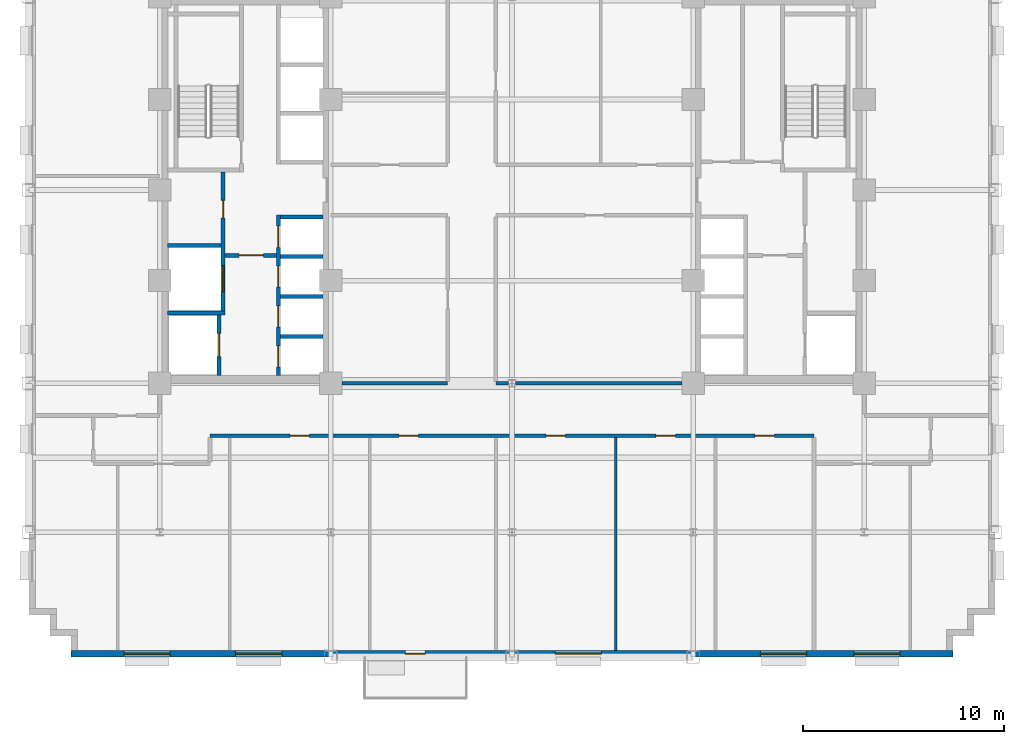
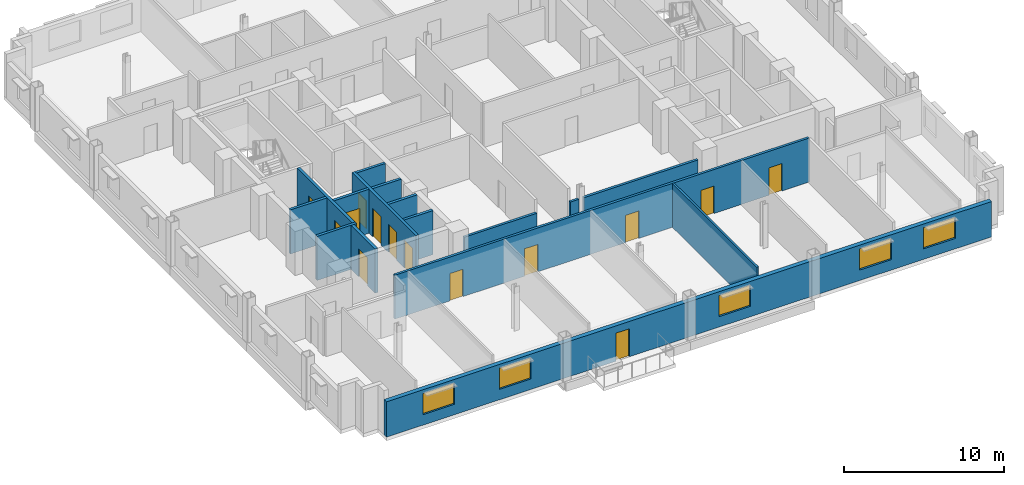
# One storey, part 6 of 14: 16 walls, 14 doors, 5 windows, 19 openings.
"""IFC4 building model written with IfcOpenShell, lengths in metres."""

import ifcopenshell
import ifcopenshell.guid

model = None  # the IFC model being written
_history = None  # IfcOwnerHistory: only IFC2X3 demands one
_inside = {}  # id of a spatial element -> (the spatial element, [elements in it])
_under = {}  # id of a project, library or spatial element -> (it, [spatial elements below it])
_declared = {}  # id of a project -> (the project, [libraries it declares])
_typed = {}  # id of a type object -> (the type object, [elements of that type])
_made_of = {}  # id of a material, layer set ... -> (it, [elements and type objects made of it])


def new_model(schema):
    """Start an empty IFC model of exactly this schema.

    Asked for "IFC4X3", IfcOpenShell would pick the latest addendum, in which some entities
    have other attributes; the version numbers below select the first issue.
    IFC2X3 requires an IfcOwnerHistory on every rooted entity: one is made here for all.
    """
    global model, _history
    if schema == "IFC4X3":
        model = ifcopenshell.file(schema_version=(4, 3, 0, 0))
    else:
        model = ifcopenshell.file(schema=schema)
    _inside.clear()
    _under.clear()
    _declared.clear()
    _typed.clear()
    _made_of.clear()
    _history = None
    if model.schema == "IFC2X3":
        org = make("IfcOrganization", Name="unknown")
        user = make(
            "IfcPersonAndOrganization",
            ThePerson=make("IfcPerson", FamilyName="unknown"),
            TheOrganization=org,
        )
        app = make(
            "IfcApplication",
            ApplicationDeveloper=org,
            Version="unknown",
            ApplicationFullName="unknown",
            ApplicationIdentifier="unknown",
        )
        _history = make(
            "IfcOwnerHistory",
            OwningUser=user,
            OwningApplication=app,
            ChangeAction="ADDED",
            CreationDate=0,
        )
    return model


def make(cls, **values):
    """One entity of the class cls with the attributes given. An attribute that is None is left unset."""
    return model.create_entity(
        cls, **{name: value for name, value in values.items() if value is not None}
    )


def rooted(cls, **values):
    """An entity with a GlobalId (a new one), such as an element, a storey or a relation."""
    return make(cls, GlobalId=ifcopenshell.guid.new(), OwnerHistory=_history, **values)


def si_unit(unit_type, name, prefix=None):
    """IfcSIUnit, for example si_unit("LENGTHUNIT", "METRE", prefix="MILLI")."""
    return make("IfcSIUnit", UnitType=unit_type, Prefix=prefix, Name=name)


def assignment(units):
    """IfcUnitAssignment: the units of a project."""
    return None if units is None else make("IfcUnitAssignment", Units=units)


def point(xyz):
    """IfcCartesianPoint."""
    return None if xyz is None else make("IfcCartesianPoint", Coordinates=xyz)


def direction(xyz):
    """IfcDirection."""
    return None if xyz is None else make("IfcDirection", DirectionRatios=xyz)


def frame(location, z_axis=None, x_axis=None):
    """IfcAxis2Placement3D, a coordinate frame: its origin and axes. An axis left out is left unset."""
    return make(
        "IfcAxis2Placement3D",
        Location=point(location),
        Axis=direction(z_axis),
        RefDirection=direction(x_axis),
    )


def frame_2d(location, x_axis=None):
    """IfcAxis2Placement2D, a coordinate frame in the plane: its origin and x axis."""
    return make(
        "IfcAxis2Placement2D", Location=point(location), RefDirection=direction(x_axis)
    )


def origin():
    """The frame at (0, 0, 0) with its axes left unset."""
    return frame((0.0, 0.0, 0.0))


def place(relative_to, where):
    """IfcLocalPlacement: puts the frame where relative to a parent placement (None: the world)."""
    return make(
        "IfcLocalPlacement", PlacementRelTo=relative_to, RelativePlacement=where
    )


def context(
    kind, dimensions, precision=None, world=None, true_north=None, identifier=None
):
    """IfcGeometricRepresentationContext, for example the 3D "Model" context."""
    return make(
        "IfcGeometricRepresentationContext",
        ContextIdentifier=identifier,
        ContextType=kind,
        CoordinateSpaceDimension=dimensions,
        Precision=precision,
        WorldCoordinateSystem=world,
        TrueNorth=true_north,
    )


def subcontext(parent, identifier, kind, view, scale=None):
    """IfcGeometricRepresentationSubContext, for example "Body" below "Model"."""
    return make(
        "IfcGeometricRepresentationSubContext",
        ContextIdentifier=identifier,
        ContextType=kind,
        ParentContext=parent,
        TargetScale=scale,
        TargetView=view,
    )


def project(units=None, contexts=None):
    """IfcProject with its units and contexts."""
    return rooted(
        "IfcProject",
        Name="project",
        RepresentationContexts=contexts,
        UnitsInContext=assignment(units),
    )


def spatial(cls, under=None, at=None, **own):
    """A site, building, storey or space (cls), placed at a placement, below another one or the project."""
    s = rooted(cls, ObjectPlacement=at, **own)
    if under is not None:
        _under.setdefault(under.id(), (under, []))[1].append(s)
    return s


def profile(cls, at=None, kind="AREA", **sizes):
    """A parametric profile (cls). Its sizes go by their IFC names, for example OverallWidth=200.0."""
    return make(cls, ProfileType=kind, Position=at, **sizes)


def rectangle(**sizes):
    """IfcRectangleProfileDef."""
    return profile("IfcRectangleProfileDef", **sizes)


def extrude(swept, where, along, depth):
    """IfcExtrudedAreaSolid: the profile swept, set in the frame where, extruded along a direction by depth."""
    return make(
        "IfcExtrudedAreaSolid",
        SweptArea=swept,
        Position=where,
        ExtrudedDirection=direction(along),
        Depth=depth,
    )


def shape(context_of_items, identifier, shape_type, items):
    """IfcShapeRepresentation: the items that make up one representation, for example the "Body"."""
    return make(
        "IfcShapeRepresentation",
        ContextOfItems=context_of_items,
        RepresentationIdentifier=identifier,
        RepresentationType=shape_type,
        Items=items,
    )


def source(mapping_origin, context_of_items, identifier, shape_type, items):
    """IfcRepresentationMap: a shape defined once, which mapped items show again and again."""
    return make(
        "IfcRepresentationMap",
        MappingOrigin=mapping_origin,
        MappedRepresentation=shape(context_of_items, identifier, shape_type, items),
    )


def transform(
    local_origin,
    x_axis=None,
    y_axis=None,
    z_axis=None,
    scale=None,
    scale2=None,
    scale3=None,
    uniform=True,
):
    """IfcCartesianTransformationOperator3D, or its non-uniform kind. x_axis, y_axis, z_axis: its Axis1, 2, 3."""
    if uniform:
        return make(
            "IfcCartesianTransformationOperator3D",
            Axis1=direction(x_axis),
            Axis2=direction(y_axis),
            LocalOrigin=point(local_origin),
            Scale=scale,
            Axis3=direction(z_axis),
        )
    return make(
        "IfcCartesianTransformationOperator3DnonUniform",
        Axis1=direction(x_axis),
        Axis2=direction(y_axis),
        LocalOrigin=point(local_origin),
        Scale=scale,
        Axis3=direction(z_axis),
        Scale2=scale2,
        Scale3=scale3,
    )


def mapped(mapping_source, mapping_target):
    """IfcMappedItem: shows the shape of a source again, moved by a transform."""
    return make(
        "IfcMappedItem", MappingSource=mapping_source, MappingTarget=mapping_target
    )


def material(Name=None, Category=None):
    """IfcMaterial."""
    return make("IfcMaterial", Name=Name, Category=Category)


def layer(
    of_material, thickness, ventilated=None, Name=None, Category=None, Priority=None
):
    """IfcMaterialLayer: one layer of a wall or slab, of a material (None: an air gap)."""
    return make(
        "IfcMaterialLayer",
        Material=of_material,
        LayerThickness=thickness,
        IsVentilated=ventilated,
        Name=Name,
        Category=Category,
        Priority=Priority,
    )


def layer_set(layers, Name=None):
    """IfcMaterialLayerSet."""
    return make("IfcMaterialLayerSet", MaterialLayers=layers, LayerSetName=Name)


def made_of(thing, what):
    """Note that an element or type object is made of a material, layer set ...; save() writes the relation."""
    if what is not None:
        _made_of.setdefault(what.id(), (what, []))[1].append(thing)
    return thing


def type_object(cls, material=None, **own):
    """A type object (cls), such as IfcWallType, which elements share."""
    return made_of(rooted(cls, **own), material)


def type_shapes(of_type, sources):
    """Give a type object the sources (RepresentationMaps) that its elements show as mapped items."""
    of_type.RepresentationMaps = sources


def element(
    cls,
    number,
    at=None,
    inside=None,
    cuts=None,
    type_object=None,
    material=None,
    context=None,
    identifier="Body",
    shape_type=None,
    held_by="IfcProductDefinitionShape",
    body=None,
    shapes=None,
    **own,
):
    """One element of the class cls, such as IfcWall. Its Tag is "e" and its number.

    at: its placement. inside: the storey or other place that contains it. cuts: it is an
    opening in that element (IfcRelVoidsElement). A single representation is given by context,
    identifier, shape_type and body (its items); several are given by shapes. held_by: the class
    of the entity that holds the representations. save() writes the other relations.
    """
    e = rooted(cls, Tag="e%d" % number, ObjectPlacement=at, **own)
    if body is not None:
        shapes = [shape(context, identifier, shape_type, body)]
    if shapes is not None:
        e.Representation = make(held_by, Representations=shapes)
    if inside is not None:
        _inside.setdefault(inside.id(), (inside, []))[1].append(e)
    if cuts is not None:
        rooted(
            "IfcRelVoidsElement", RelatingBuildingElement=cuts, RelatedOpeningElement=e
        )
    if type_object is not None:
        _typed.setdefault(type_object.id(), (type_object, []))[1].append(e)
    return made_of(e, material)


def fill(opening, filler):
    """IfcRelFillsElement: the door or window that sits in an opening."""
    return rooted(
        "IfcRelFillsElement",
        RelatingOpeningElement=opening,
        RelatedBuildingElement=filler,
    )


def aggregate(whole, parts):
    """IfcRelAggregates: a whole, such as a stair, and the parts it consists of."""
    return rooted("IfcRelAggregates", RelatingObject=whole, RelatedObjects=parts)


def save(model, path):
    """Write the relations noted so far, then the file.

    IfcRelAggregates (storeys below a building ...), IfcRelContainedInSpatialStructure (elements
    in a storey), IfcRelDefinesByType, IfcRelAssociatesMaterial and IfcRelDeclares: one each for
    every whole, place, type object, material and project.
    """
    for whole, parts in _under.values():
        aggregate(whole, parts)
    for where, things in _inside.values():
        rooted(
            "IfcRelContainedInSpatialStructure",
            RelatedElements=things,
            RelatingStructure=where,
        )
    for kind, things in _typed.values():
        rooted("IfcRelDefinesByType", RelatedObjects=things, RelatingType=kind)
    for what, things in _made_of.values():
        rooted("IfcRelAssociatesMaterial", RelatedObjects=things, RelatingMaterial=what)
    for by, libraries in _declared.values():
        rooted("IfcRelDeclares", RelatingContext=by, RelatedDefinitions=libraries)
    model.write(path)


model = new_model("IFC4")

# Units and contexts
model_context = context("Model", 3, precision=1e-05, world=origin(), true_north=direction((0.0, 1.0)))
body_context = subcontext(model_context, "Body", "Model", "MODEL_VIEW")
ifc_project = project(units=[si_unit("LENGTHUNIT", "METRE"), si_unit("AREAUNIT", "SQUARE_METRE"), si_unit("VOLUMEUNIT", "CUBIC_METRE"), si_unit("PLANEANGLEUNIT", "RADIAN"), si_unit("MASSUNIT", "GRAM", prefix="KILO")], contexts=[model_context])

# Site, building, storey
site_placement = place(None, origin())
site = spatial("IfcSite", under=ifc_project, at=site_placement, CompositionType="ELEMENT")
building_placement = place(site_placement, origin())
building = spatial("IfcBuilding", under=site, at=building_placement, Name="Nuvemarco Arch Tower", CompositionType="ELEMENT")
storey_placement = place(building_placement, frame((0.0, 0.0, 101.949951171875)))
storey = spatial("IfcBuildingStorey", under=building, at=storey_placement, Name="L26", CompositionType="ELEMENT", Elevation=101.949951171875)

# Wall, openings, door, windows
ifc_material_1 = material(Name="Precast concrete C45/55", Category="concrete")
ifc_layer_1 = layer(ifc_material_1, 0.320068359375, Name="EW-MID-320")
ifc_layer_set_1 = layer_set([ifc_layer_1], Name="Precast concrete C45/55")
wall_type_1 = type_object("IfcWallType", Name="EW-MID-320", PredefinedType="STANDARD", material=ifc_layer_set_1)
wall_1_placement = place(storey_placement, frame((-21.89990234375, -23.0400390625, 0.0), z_axis=(0.0, 0.0, 1.0), x_axis=(1.0, 0.0, 0.0)))
wall_1 = element("IfcWall", 1, at=wall_1_placement, inside=storey, type_object=wall_type_1, Name="L26 exterior precast facade wall 1", PredefinedType="STANDARD", context=body_context, shape_type="SweptSolid", body=[
    extrude(rectangle(XDim=43.7998046875, YDim=0.320068359375, at=frame_2d((21.89990234375, 0.0))), origin(), (0.0, 0.0, 1.0), 2.705078125),
])
opening_1_placement = place(wall_1_placement, frame((17.580078125, 0.0, 0.0), z_axis=(0.0, 0.0, 1.0), x_axis=(-1.0, 0.0, 0.0)))
opening_1 = element("IfcOpeningElement", 2, at=opening_1_placement, cuts=wall_1, Name="Opening ED-6", PredefinedType="OPENING", context=body_context, shape_type="SweptSolid", body=[
    extrude(rectangle(XDim=0.97998046875, YDim=2.14990234375, at=frame_2d((0.489990234375, 1.074951171875))), frame((0.0, 0.169921875, 0.0), z_axis=(0.0, -1.0, 0.0), x_axis=(1.0, 0.0, 0.0)), (0.0, 0.0, 1.0), 0.340087890625),
])
opening_2_placement = place(wall_1_placement, frame((2.622314453125, 0.0, 0.800048828125)))
opening_2 = element("IfcOpeningElement", 3, at=opening_2_placement, cuts=wall_1, Name="Opening WN-10", PredefinedType="OPENING", context=body_context, shape_type="SweptSolid", body=[
    extrude(rectangle(XDim=2.300048828125, YDim=1.6201171875, at=frame_2d((1.14990234375, 0.81005859375))), frame((0.0, 0.169921875, 0.0), z_axis=(0.0, -1.0, 0.0), x_axis=(1.0, 0.0, 0.0)), (0.0, 0.0, 1.0), 0.340087890625),
])
opening_3_placement = place(wall_1_placement, frame((8.166748046875, 0.0, 0.800048828125)))
opening_3 = element("IfcOpeningElement", 4, at=opening_3_placement, cuts=wall_1, Name="Opening WN-10", PredefinedType="OPENING", context=body_context, shape_type="SweptSolid", body=[
    extrude(rectangle(XDim=2.300048828125, YDim=1.6201171875, at=frame_2d((1.14990234375, 0.81005859375))), frame((0.0, 0.169921875, 0.0), z_axis=(0.0, -1.0, 0.0), x_axis=(1.0, 0.0, 0.0)), (0.0, 0.0, 1.0), 0.340087890625),
])
opening_4_placement = place(wall_1_placement, frame((24.04443359375, 0.0, 0.800048828125)))
opening_4 = element("IfcOpeningElement", 5, at=opening_4_placement, cuts=wall_1, Name="Opening WN-10", PredefinedType="OPENING", context=body_context, shape_type="SweptSolid", body=[
    extrude(rectangle(XDim=2.300048828125, YDim=1.6201171875, at=frame_2d((1.14990234375, 0.81005859375))), frame((0.0, 0.169921875, 0.0), z_axis=(0.0, -1.0, 0.0), x_axis=(1.0, 0.0, 0.0)), (0.0, 0.0, 1.0), 0.340087890625),
])
opening_5_placement = place(wall_1_placement, frame((34.2333984375, 0.0, 0.800048828125)))
opening_5 = element("IfcOpeningElement", 6, at=opening_5_placement, cuts=wall_1, Name="Opening WN-10", PredefinedType="OPENING", context=body_context, shape_type="SweptSolid", body=[
    extrude(rectangle(XDim=2.300048828125, YDim=1.6201171875, at=frame_2d((1.14990234375, 0.81005859375))), frame((0.0, 0.169921875, 0.0), z_axis=(0.0, -1.0, 0.0), x_axis=(1.0, 0.0, 0.0)), (0.0, 0.0, 1.0), 0.340087890625),
])
opening_6_placement = place(wall_1_placement, frame((38.877685546875, 0.0, 0.800048828125)))
opening_6 = element("IfcOpeningElement", 7, at=opening_6_placement, cuts=wall_1, Name="Opening WN-10", PredefinedType="OPENING", context=body_context, shape_type="SweptSolid", body=[
    extrude(rectangle(XDim=2.300048828125, YDim=1.6201171875, at=frame_2d((1.14990234375, 0.81005859375))), frame((0.0, 0.169921875, 0.0), z_axis=(0.0, -1.0, 0.0), x_axis=(1.0, 0.0, 0.0)), (0.0, 0.0, 1.0), 0.340087890625),
])
ifc_material_2 = material(Name="Anodised bronze and laminated glass", Category="glass")
door_type_1 = type_object("IfcDoorType", Name="DR-EXT-BALC", OperationType="NOTDEFINED", PredefinedType="DOOR", material=ifc_material_2)
shared_shape_1 = source(origin(), body_context, "Body", "SweptSolid", [
    extrude(rectangle(XDim=0.97998046875, YDim=2.14990234375, at=frame_2d((0.489990234375, 1.074951171875))), frame((0.0, 0.02490234375, 0.0), z_axis=(0.0, -1.0, 0.0), x_axis=(1.0, 0.0, 0.0)), (0.0, 0.0, 1.0), 0.050048828125),
])
type_shapes(door_type_1, [shared_shape_1])
door_1_placement = place(opening_1_placement, origin())
door_1 = element("IfcDoor", 8, at=door_1_placement, inside=storey, type_object=door_type_1, Name="L26 tree balcony access door", OperationType="SINGLE_SWING_RIGHT", OverallHeight=2.14990234375, OverallWidth=0.97998046875, PredefinedType="DOOR", context=body_context, shape_type="MappedRepresentation", body=[
    mapped(shared_shape_1, transform((0.0, 0.0, 0.0), scale=1.0)),
])
fill(opening_1, door_1)
ifc_material_3 = material(Name="Insulated solar-control glass", Category="glass")
window_type = type_object("IfcWindowType", Name="WN-STEP-2300x1700", PartitioningType="DOUBLE_PANEL_VERTICAL", PredefinedType="WINDOW", material=ifc_material_3)
shared_shape_2 = source(origin(), body_context, "Body", "SweptSolid", [
    extrude(rectangle(XDim=2.300048828125, YDim=1.6201171875, at=frame_2d((1.14990234375, 0.81005859375))), frame((0.0, 0.030029296875, 0.0), z_axis=(0.0, -1.0, 0.0), x_axis=(1.0, 0.0, 0.0)), (0.0, 0.0, 1.0), 0.06005859375),
])
type_shapes(window_type, [shared_shape_2])
window_1_placement = place(opening_2_placement, origin())
window_1 = element("IfcWindow", 9, at=window_1_placement, inside=storey, type_object=window_type, Name="L26 punched facade window 1", OverallHeight=1.6201171875, OverallWidth=2.300048828125, PartitioningType="SINGLE_PANEL", PredefinedType="WINDOW", context=body_context, shape_type="MappedRepresentation", body=[
    mapped(shared_shape_2, transform((0.0, 0.0, 0.0), scale=1.0)),
])
fill(opening_2, window_1)
window_2_placement = place(opening_3_placement, origin())
window_2 = element("IfcWindow", 10, at=window_2_placement, inside=storey, type_object=window_type, Name="L26 punched facade window 2", OverallHeight=1.6201171875, OverallWidth=2.300048828125, PartitioningType="SINGLE_PANEL", PredefinedType="WINDOW", context=body_context, shape_type="MappedRepresentation", body=[
    mapped(shared_shape_2, transform((0.0, 0.0, 0.0), scale=1.0)),
])
fill(opening_3, window_2)
window_3_placement = place(opening_4_placement, origin())
window_3 = element("IfcWindow", 11, at=window_3_placement, inside=storey, type_object=window_type, Name="L26 punched facade window 6", OverallHeight=1.6201171875, OverallWidth=2.300048828125, PartitioningType="SINGLE_PANEL", PredefinedType="WINDOW", context=body_context, shape_type="MappedRepresentation", body=[
    mapped(shared_shape_2, transform((0.0, 0.0, 0.0), scale=1.0)),
])
fill(opening_4, window_3)
window_4_placement = place(opening_5_placement, origin())
window_4 = element("IfcWindow", 12, at=window_4_placement, inside=storey, type_object=window_type, Name="L26 punched facade window 8", OverallHeight=1.6201171875, OverallWidth=2.300048828125, PartitioningType="SINGLE_PANEL", PredefinedType="WINDOW", context=body_context, shape_type="MappedRepresentation", body=[
    mapped(shared_shape_2, transform((0.0, 0.0, 0.0), scale=1.0)),
])
fill(opening_5, window_4)
window_5_placement = place(opening_6_placement, origin())
window_5 = element("IfcWindow", 13, at=window_5_placement, inside=storey, type_object=window_type, Name="L26 punched facade window 9", OverallHeight=1.6201171875, OverallWidth=2.300048828125, PartitioningType="SINGLE_PANEL", PredefinedType="WINDOW", context=body_context, shape_type="MappedRepresentation", body=[
    mapped(shared_shape_2, transform((0.0, 0.0, 0.0), scale=1.0)),
])
fill(opening_6, window_5)

# Wall, openings, doors
ifc_material_4 = material(Name="Fire-rated gypsum drywall partition")
ifc_layer_2 = layer(ifc_material_4, 0.179931640625, Name="WL-CORR-180")
ifc_layer_set_2 = layer_set([ifc_layer_2], Name="Fire-rated gypsum drywall partition")
wall_type_2 = type_object("IfcWallType", Name="WL-CORR-180", PredefinedType="PARTITIONING", material=ifc_layer_set_2)
wall_2_placement = place(storey_placement, frame((-15.0, -12.199951171875, 0.0), z_axis=(0.0, 0.0, 1.0), x_axis=(1.0, 0.0, 0.0)))
wall_2 = element("IfcWall", 14, at=wall_2_placement, inside=storey, type_object=wall_type_2, Name="L26 interior wall IW-L26-003", PredefinedType="PARTITIONING", context=body_context, shape_type="SweptSolid", body=[
    extrude(rectangle(XDim=30.0, YDim=0.179931640625, at=frame_2d((15.0, 0.0))), origin(), (0.0, 0.0, 1.0), 3.360107421875),
])
opening_7_placement = place(wall_2_placement, frame((3.97998046875, 0.0, 0.0)))
opening_7 = element("IfcOpeningElement", 15, at=opening_7_placement, cuts=wall_2, Name="Opening FD-5", PredefinedType="OPENING", context=body_context, shape_type="SweptSolid", body=[
    extrude(rectangle(XDim=0.9599609375, YDim=2.10009765625, at=frame_2d((0.47998046875, 1.050048828125))), frame((0.0, 0.099853515625, 0.0), z_axis=(0.0, -1.0, 0.0), x_axis=(1.0, 0.0, 0.0)), (0.0, 0.0, 1.0), 0.199951171875),
])
opening_8_placement = place(wall_2_placement, frame((16.695068359375, 0.0, 0.0)))
opening_8 = element("IfcOpeningElement", 16, at=opening_8_placement, cuts=wall_2, Name="Opening FD-5", PredefinedType="OPENING", context=body_context, shape_type="SweptSolid", body=[
    extrude(rectangle(XDim=0.9599609375, YDim=2.10009765625, at=frame_2d((0.47998046875, 1.050048828125))), frame((0.0, 0.099853515625, 0.0), z_axis=(0.0, -1.0, 0.0), x_axis=(1.0, 0.0, 0.0)), (0.0, 0.0, 1.0), 0.199951171875),
])
opening_9_placement = place(wall_2_placement, frame((22.14990234375, 0.0, 0.0)))
opening_9 = element("IfcOpeningElement", 17, at=opening_9_placement, cuts=wall_2, Name="Opening FD-5", PredefinedType="OPENING", context=body_context, shape_type="SweptSolid", body=[
    extrude(rectangle(XDim=0.9599609375, YDim=2.10009765625, at=frame_2d((0.47998046875, 1.050048828125))), frame((0.0, 0.099853515625, 0.0), z_axis=(0.0, -1.0, 0.0), x_axis=(1.0, 0.0, 0.0)), (0.0, 0.0, 1.0), 0.199951171875),
])
opening_10_placement = place(wall_2_placement, frame((27.074951171875, 0.0, 0.0)))
opening_10 = element("IfcOpeningElement", 18, at=opening_10_placement, cuts=wall_2, Name="Opening FD-5", PredefinedType="OPENING", context=body_context, shape_type="SweptSolid", body=[
    extrude(rectangle(XDim=0.9599609375, YDim=2.10009765625, at=frame_2d((0.47998046875, 1.050048828125))), frame((0.0, 0.099853515625, 0.0), z_axis=(0.0, -1.0, 0.0), x_axis=(1.0, 0.0, 0.0)), (0.0, 0.0, 1.0), 0.199951171875),
])
opening_11_placement = place(wall_2_placement, frame((9.389892578125, 0.0, 0.0)))
opening_11 = element("IfcOpeningElement", 19, at=opening_11_placement, cuts=wall_2, Name="Opening FD-5", PredefinedType="OPENING", context=body_context, shape_type="SweptSolid", body=[
    extrude(rectangle(XDim=0.9599609375, YDim=2.10009765625, at=frame_2d((0.47998046875, 1.050048828125))), frame((0.0, 0.099853515625, 0.0), z_axis=(0.0, -1.0, 0.0), x_axis=(1.0, 0.0, 0.0)), (0.0, 0.0, 1.0), 0.199951171875),
])
ifc_material_5 = material(Name="Timber fire door", Category="wood")
door_type_2 = type_object("IfcDoorType", Name="DR-CORR-FD", OperationType="NOTDEFINED", PredefinedType="DOOR", material=ifc_material_5)
shared_shape_3 = source(origin(), body_context, "Body", "SweptSolid", [
    extrude(rectangle(XDim=0.9599609375, YDim=2.10009765625, at=frame_2d((0.47998046875, 1.050048828125))), frame((0.0, 0.02490234375, 0.0), z_axis=(0.0, -1.0, 0.0), x_axis=(1.0, 0.0, 0.0)), (0.0, 0.0, 1.0), 0.050048828125),
])
type_shapes(door_type_2, [shared_shape_3])
door_2_placement = place(opening_7_placement, origin())
door_2 = element("IfcDoor", 20, at=door_2_placement, inside=storey, type_object=door_type_2, Name="L26 door DR-L26-S_3", OperationType="SINGLE_SWING_RIGHT", OverallHeight=2.10009765625, OverallWidth=0.9599609375, PredefinedType="DOOR", context=body_context, shape_type="MappedRepresentation", body=[
    mapped(shared_shape_3, transform((0.0, 0.0, 0.0), scale=1.0)),
])
fill(opening_7, door_2)
door_3_placement = place(opening_8_placement, origin())
door_3 = element("IfcDoor", 21, at=door_3_placement, inside=storey, type_object=door_type_2, Name="L26 door DR-L26-S_5", OperationType="SINGLE_SWING_LEFT", OverallHeight=2.10009765625, OverallWidth=0.9599609375, PredefinedType="DOOR", context=body_context, shape_type="MappedRepresentation", body=[
    mapped(shared_shape_3, transform((0.0, 0.0, 0.0), scale=1.0)),
])
fill(opening_8, door_3)
door_4_placement = place(opening_9_placement, origin())
door_4 = element("IfcDoor", 22, at=door_4_placement, inside=storey, type_object=door_type_2, Name="L26 door DR-L26-S_6", OperationType="SINGLE_SWING_LEFT", OverallHeight=2.10009765625, OverallWidth=0.9599609375, PredefinedType="DOOR", context=body_context, shape_type="MappedRepresentation", body=[
    mapped(shared_shape_3, transform((0.0, 0.0, 0.0), scale=1.0)),
])
fill(opening_9, door_4)
door_5_placement = place(opening_10_placement, origin())
door_5 = element("IfcDoor", 23, at=door_5_placement, inside=storey, type_object=door_type_2, Name="L26 door DR-L26-S_7", OperationType="SINGLE_SWING_RIGHT", OverallHeight=2.10009765625, OverallWidth=0.9599609375, PredefinedType="DOOR", context=body_context, shape_type="MappedRepresentation", body=[
    mapped(shared_shape_3, transform((0.0, 0.0, 0.0), scale=1.0)),
])
fill(opening_10, door_5)
door_6_placement = place(opening_11_placement, origin())
door_6 = element("IfcDoor", 24, at=door_6_placement, inside=storey, type_object=door_type_2, Name="L26 door DR-L26-S_4", OperationType="SINGLE_SWING_RIGHT", OverallHeight=2.10009765625, OverallWidth=0.9599609375, PredefinedType="DOOR", context=body_context, shape_type="MappedRepresentation", body=[
    mapped(shared_shape_3, transform((0.0, 0.0, 0.0), scale=1.0)),
])
fill(opening_11, door_6)

# Walls
wall_3_placement = place(storey_placement, frame((-8.4541015625, -9.60009765625, 0.0), z_axis=(0.0, 0.0, 1.0), x_axis=(1.0, 0.0, 0.0)))
element("IfcWall", 25, at=wall_3_placement, inside=storey, type_object=wall_type_2, Name="L26 interior wall IW-L26-006", PredefinedType="PARTITIONING", context=body_context, shape_type="SweptSolid", body=[
    extrude(rectangle(XDim=5.254150390625, YDim=0.179931640625, at=frame_2d((2.626953125, 0.0))), origin(), (0.0, 0.0, 1.0), 2.405029296875),
])
wall_4_placement = place(storey_placement, frame((-0.800048828125, -9.60009765625, 0.0), z_axis=(0.0, 0.0, 1.0), x_axis=(1.0, 0.0, 0.0)))
element("IfcWall", 26, at=wall_4_placement, inside=storey, type_object=wall_type_2, Name="L26 interior wall IW-L26-007", PredefinedType="PARTITIONING", context=body_context, shape_type="SweptSolid", body=[
    extrude(rectangle(XDim=0.6240234375, YDim=0.179931640625, at=frame_2d((0.31201171875, 0.0))), origin(), (0.0, 0.0, 1.0), 2.405029296875),
])
wall_5_placement = place(storey_placement, frame((0.176025390625, -9.60009765625, 0.0), z_axis=(0.0, 0.0, 1.0), x_axis=(1.0, 0.0, 0.0)))
element("IfcWall", 27, at=wall_5_placement, inside=storey, type_object=wall_type_2, Name="L26 interior wall IW-L26-008", PredefinedType="PARTITIONING", context=body_context, shape_type="SweptSolid", body=[
    extrude(rectangle(XDim=8.278076171875, YDim=0.179931640625, at=frame_2d((4.13916015625, 0.0))), origin(), (0.0, 0.0, 1.0), 2.405029296875),
])
ifc_material_6 = material(Name="Gypsum plasterboard partition")
ifc_layer_3 = layer(ifc_material_6, 0.139892578125, Name="WL-ROOM-140")
ifc_layer_set_3 = layer_set([ifc_layer_3], Name="Gypsum plasterboard partition")
wall_type_3 = type_object("IfcWallType", Name="WL-ROOM-140", PredefinedType="PARTITIONING", material=ifc_layer_set_3)
wall_6_placement = place(storey_placement, frame((5.14990234375, -22.8798828125, 0.0), z_axis=(0.0, 0.0, 1.0), x_axis=(0.0, 1.0, 0.0)))
element("IfcWall", 28, at=wall_6_placement, inside=storey, type_object=wall_type_3, Name="L26 interior wall IW-L26-045", PredefinedType="PARTITIONING", context=body_context, shape_type="SweptSolid", body=[
    extrude(rectangle(XDim=10.593994140625, YDim=0.139892578125, at=frame_2d((5.296875, 0.0))), origin(), (0.0, 0.0, 1.0), 3.360107421875),
])

# Wall, opening, door
ifc_material_7 = material(Name="Concrete C50/60", Category="concrete")
ifc_layer_4 = layer(ifc_material_7, 0.199951171875, Name="WL-SHAFT-220")
ifc_layer_set_4 = layer_set([ifc_layer_4], Name="Concrete C50/60")
wall_type_4 = type_object("IfcWallType", Name="WL-SHAFT-220", PredefinedType="SHEAR", material=ifc_layer_set_4)
wall_7_placement = place(storey_placement, frame((-14.550048828125, -9.205078125, 0.0), z_axis=(0.0, 0.0, 1.0), x_axis=(0.0, 1.0, 0.0)))
wall_7 = element("IfcWall", 29, at=wall_7_placement, inside=storey, type_object=wall_type_4, Name="L26 structural shaft wall SW-L26-W-SHE", PredefinedType="SHEAR", context=body_context, shape_type="SweptSolid", body=[
    extrude(rectangle(XDim=3.010009765625, YDim=0.199951171875, at=frame_2d((1.5048828125, 0.0))), origin(), (0.0, 0.0, 1.0), 3.3701171875),
])
opening_12_placement = place(wall_7_placement, frame((0.929931640625, 0.0, 0.0)))
opening_12 = element("IfcOpeningElement", 30, at=opening_12_placement, cuts=wall_7, Name="Opening LD-2", PredefinedType="OPENING", context=body_context, shape_type="SweptSolid", body=[
    extrude(rectangle(XDim=1.14990234375, YDim=2.14990234375, at=frame_2d((0.574951171875, 1.074951171875))), frame((0.0, 0.10986328125, 0.0), z_axis=(0.0, -1.0, 0.0), x_axis=(1.0, 0.0, 0.0)), (0.0, 0.0, 1.0), 0.219970703125),
])
ifc_material_8 = material(Name="Stainless steel lift door", Category="steel")
door_type_3 = type_object("IfcDoorType", Name="DR-LIFT-FIRE", OperationType="DOUBLE_DOOR_SLIDING", PredefinedType="DOOR", material=ifc_material_8)
shared_shape_4 = source(origin(), body_context, "Body", "SweptSolid", [
    extrude(rectangle(XDim=1.14990234375, YDim=2.14990234375, at=frame_2d((0.574951171875, 1.074951171875))), frame((0.0, 0.02490234375, 0.0), z_axis=(0.0, -1.0, 0.0), x_axis=(1.0, 0.0, 0.0)), (0.0, 0.0, 1.0), 0.050048828125),
])
type_shapes(door_type_3, [shared_shape_4])
door_7_placement = place(opening_12_placement, origin())
door_7 = element("IfcDoor", 31, at=door_7_placement, inside=storey, type_object=door_type_3, Name="L26 Lift landing sliding door FFL-1", OperationType="DOUBLE_DOOR_SLIDING", OverallHeight=2.14990234375, OverallWidth=1.14990234375, PredefinedType="DOOR", context=body_context, shape_type="MappedRepresentation", body=[
    mapped(shared_shape_4, transform((0.0, 0.0, 0.0), scale=1.0)),
])
fill(opening_12, door_7)

# Wall, openings, doors
wall_8_placement = place(storey_placement, frame((-14.35009765625, -6.199951171875, 0.0), z_axis=(0.0, 0.0, 1.0), x_axis=(0.0, 1.0, 0.0)))
wall_8 = element("IfcWall", 32, at=wall_8_placement, inside=storey, type_object=wall_type_4, Name="L26 structural shaft wall SW-L26-W-SVE", PredefinedType="SHEAR", context=body_context, shape_type="SweptSolid", body=[
    extrude(rectangle(XDim=7.10498046875, YDim=0.199951171875, at=frame_2d((3.552490234375, 0.0))), origin(), (0.0, 0.0, 1.0), 3.3701171875),
])
opening_13_placement = place(wall_8_placement, frame((5.68994140625, 0.0, 0.0), z_axis=(0.0, 0.0, 1.0), x_axis=(-1.0, 0.0, 0.0)))
opening_13 = element("IfcOpeningElement", 33, at=opening_13_placement, cuts=wall_8, Name="Opening FD-4", PredefinedType="OPENING", context=body_context, shape_type="SweptSolid", body=[
    extrude(rectangle(XDim=0.8798828125, YDim=2.10009765625, at=frame_2d((0.43994140625, 1.050048828125))), frame((0.0, 0.10986328125, 0.0), z_axis=(0.0, -1.0, 0.0), x_axis=(1.0, 0.0, 0.0)), (0.0, 0.0, 1.0), 0.219970703125),
])
opening_14_placement = place(wall_8_placement, frame((1.14990234375, 0.0, 0.0)))
opening_14 = element("IfcOpeningElement", 34, at=opening_14_placement, cuts=wall_8, Name="Opening LD-3", PredefinedType="OPENING", context=body_context, shape_type="SweptSolid", body=[
    extrude(rectangle(XDim=1.300048828125, YDim=2.199951171875, at=frame_2d((0.64990234375, 1.10009765625))), frame((0.0, 0.10986328125, 0.0), z_axis=(0.0, -1.0, 0.0), x_axis=(1.0, 0.0, 0.0)), (0.0, 0.0, 1.0), 0.219970703125),
])
ifc_material_9 = material(Name="Anodised steel fire door", Category="steel")
door_type_4 = type_object("IfcDoorType", Name="DR-RISER-FD", OperationType="NOTDEFINED", PredefinedType="DOOR", material=ifc_material_9)
shared_shape_5 = source(origin(), body_context, "Body", "SweptSolid", [
    extrude(rectangle(XDim=0.8798828125, YDim=2.10009765625, at=frame_2d((0.43994140625, 1.050048828125))), frame((0.0, 0.02490234375, 0.0), z_axis=(0.0, -1.0, 0.0), x_axis=(1.0, 0.0, 0.0)), (0.0, 0.0, 1.0), 0.050048828125),
])
type_shapes(door_type_4, [shared_shape_5])
door_8_placement = place(opening_13_placement, origin())
door_8 = element("IfcDoor", 35, at=door_8_placement, inside=storey, type_object=door_type_4, Name="L26 door FD-L26-WRIS", OperationType="SINGLE_SWING_RIGHT", OverallHeight=2.10009765625, OverallWidth=0.8798828125, PredefinedType="DOOR", context=body_context, shape_type="MappedRepresentation", body=[
    mapped(shared_shape_5, transform((0.0, 0.0, 0.0), scale=1.0)),
])
fill(opening_13, door_8)
door_type_5 = type_object("IfcDoorType", Name="DR-LIFT-SERV", OperationType="DOUBLE_DOOR_SLIDING", PredefinedType="DOOR", material=ifc_material_8)
shared_shape_6 = source(origin(), body_context, "Body", "SweptSolid", [
    extrude(rectangle(XDim=1.300048828125, YDim=2.199951171875, at=frame_2d((0.64990234375, 1.10009765625))), frame((0.0, 0.02490234375, 0.0), z_axis=(0.0, -1.0, 0.0), x_axis=(1.0, 0.0, 0.0)), (0.0, 0.0, 1.0), 0.050048828125),
])
type_shapes(door_type_5, [shared_shape_6])
door_9_placement = place(opening_14_placement, origin())
door_9 = element("IfcDoor", 36, at=door_9_placement, inside=storey, type_object=door_type_5, Name="L26 Lift landing sliding door SVL-1", OperationType="DOUBLE_DOOR_SLIDING", OverallHeight=2.199951171875, OverallWidth=1.300048828125, PredefinedType="DOOR", context=body_context, shape_type="MappedRepresentation", body=[
    mapped(shared_shape_6, transform((0.0, 0.0, 0.0), scale=1.0)),
])
fill(opening_14, door_9)

# Walls
wall_9_placement = place(storey_placement, frame((-17.10498046875, -6.10009765625, 0.0), z_axis=(0.0, 0.0, 1.0), x_axis=(1.0, 0.0, 0.0)))
element("IfcWall", 37, at=wall_9_placement, inside=storey, type_object=wall_type_4, Name="L26 structural shaft wall SW-L26-W-SH1", PredefinedType="SHEAR", context=body_context, shape_type="SweptSolid", body=[
    extrude(rectangle(XDim=2.85498046875, YDim=0.199951171875, at=frame_2d((1.427490234375, 0.0))), origin(), (0.0, 0.0, 1.0), 3.3701171875),
])
wall_10_placement = place(storey_placement, frame((-17.10498046875, -2.75, 0.0), z_axis=(0.0, 0.0, 1.0), x_axis=(1.0, 0.0, 0.0)))
element("IfcWall", 38, at=wall_10_placement, inside=storey, type_object=wall_type_4, Name="L26 structural shaft wall SW-L26-W-SH2", PredefinedType="SHEAR", context=body_context, shape_type="SweptSolid", body=[
    extrude(rectangle(XDim=2.659912109375, YDim=0.199951171875, at=frame_2d((1.330078125, 0.0))), origin(), (0.0, 0.0, 1.0), 3.3701171875),
])

# Wall, openings, doors
wall_11_placement = place(storey_placement, frame((-11.60009765625, -9.205078125, 0.0), z_axis=(0.0, 0.0, 1.0), x_axis=(0.0, 1.0, 0.0)))
wall_11 = element("IfcWall", 39, at=wall_11_placement, inside=storey, type_object=wall_type_4, Name="L26 structural shaft wall SW-L26-W-PLW", PredefinedType="SHEAR", context=body_context, shape_type="SweptSolid", body=[
    extrude(rectangle(XDim=7.97509765625, YDim=0.199951171875, at=frame_2d((3.987548828125, 0.0))), origin(), (0.0, 0.0, 1.0), 3.3701171875),
])
opening_15_placement = place(wall_11_placement, frame((0.419921875, 0.0, 0.0)))
opening_15 = element("IfcOpeningElement", 40, at=opening_15_placement, cuts=wall_11, Name="Opening LD-1", PredefinedType="OPENING", context=body_context, shape_type="SweptSolid", body=[
    extrude(rectangle(XDim=1.050048828125, YDim=2.14990234375, at=frame_2d((0.52490234375, 1.074951171875))), frame((0.0, 0.10986328125, 0.0), z_axis=(0.0, -1.0, 0.0), x_axis=(1.0, 0.0, 0.0)), (0.0, 0.0, 1.0), 0.219970703125),
])
opening_16_placement = place(wall_11_placement, frame((2.39990234375, 0.0, 0.0)))
opening_16 = element("IfcOpeningElement", 41, at=opening_16_placement, cuts=wall_11, Name="Opening LD-1", PredefinedType="OPENING", context=body_context, shape_type="SweptSolid", body=[
    extrude(rectangle(XDim=1.050048828125, YDim=2.14990234375, at=frame_2d((0.52490234375, 1.074951171875))), frame((0.0, 0.10986328125, 0.0), z_axis=(0.0, -1.0, 0.0), x_axis=(1.0, 0.0, 0.0)), (0.0, 0.0, 1.0), 0.219970703125),
])
opening_17_placement = place(wall_11_placement, frame((4.3798828125, 0.0, 0.0)))
opening_17 = element("IfcOpeningElement", 42, at=opening_17_placement, cuts=wall_11, Name="Opening LD-1", PredefinedType="OPENING", context=body_context, shape_type="SweptSolid", body=[
    extrude(rectangle(XDim=1.050048828125, YDim=2.14990234375, at=frame_2d((0.52490234375, 1.074951171875))), frame((0.0, 0.10986328125, 0.0), z_axis=(0.0, -1.0, 0.0), x_axis=(1.0, 0.0, 0.0)), (0.0, 0.0, 1.0), 0.219970703125),
])
opening_18_placement = place(wall_11_placement, frame((6.360107421875, 0.0, 0.0)))
opening_18 = element("IfcOpeningElement", 43, at=opening_18_placement, cuts=wall_11, Name="Opening LD-1", PredefinedType="OPENING", context=body_context, shape_type="SweptSolid", body=[
    extrude(rectangle(XDim=1.050048828125, YDim=2.14990234375, at=frame_2d((0.52490234375, 1.074951171875))), frame((0.0, 0.10986328125, 0.0), z_axis=(0.0, -1.0, 0.0), x_axis=(1.0, 0.0, 0.0)), (0.0, 0.0, 1.0), 0.219970703125),
])
door_type_6 = type_object("IfcDoorType", Name="DR-LIFT-PASS", OperationType="DOUBLE_DOOR_SLIDING", PredefinedType="DOOR", material=ifc_material_8)
shared_shape_7 = source(origin(), body_context, "Body", "SweptSolid", [
    extrude(rectangle(XDim=1.050048828125, YDim=2.14990234375, at=frame_2d((0.52490234375, 1.074951171875))), frame((0.0, 0.02490234375, 0.0), z_axis=(0.0, -1.0, 0.0), x_axis=(1.0, 0.0, 0.0)), (0.0, 0.0, 1.0), 0.050048828125),
])
type_shapes(door_type_6, [shared_shape_7])
door_10_placement = place(opening_15_placement, origin())
door_10 = element("IfcDoor", 44, at=door_10_placement, inside=storey, type_object=door_type_6, Name="L26 Lift landing sliding door PL-1", OperationType="DOUBLE_DOOR_SLIDING", OverallHeight=2.14990234375, OverallWidth=1.050048828125, PredefinedType="DOOR", context=body_context, shape_type="MappedRepresentation", body=[
    mapped(shared_shape_7, transform((0.0, 0.0, 0.0), scale=1.0)),
])
fill(opening_15, door_10)
door_11_placement = place(opening_16_placement, origin())
door_11 = element("IfcDoor", 45, at=door_11_placement, inside=storey, type_object=door_type_6, Name="L26 Lift landing sliding door PL-2", OperationType="DOUBLE_DOOR_SLIDING", OverallHeight=2.14990234375, OverallWidth=1.050048828125, PredefinedType="DOOR", context=body_context, shape_type="MappedRepresentation", body=[
    mapped(shared_shape_7, transform((0.0, 0.0, 0.0), scale=1.0)),
])
fill(opening_16, door_11)
door_12_placement = place(opening_17_placement, origin())
door_12 = element("IfcDoor", 46, at=door_12_placement, inside=storey, type_object=door_type_6, Name="L26 Lift landing sliding door PL-3", OperationType="DOUBLE_DOOR_SLIDING", OverallHeight=2.14990234375, OverallWidth=1.050048828125, PredefinedType="DOOR", context=body_context, shape_type="MappedRepresentation", body=[
    mapped(shared_shape_7, transform((0.0, 0.0, 0.0), scale=1.0)),
])
fill(opening_17, door_12)
door_13_placement = place(opening_18_placement, origin())
door_13 = element("IfcDoor", 47, at=door_13_placement, inside=storey, type_object=door_type_6, Name="L26 Lift landing sliding door PL-4", OperationType="DOUBLE_DOOR_SLIDING", OverallHeight=2.14990234375, OverallWidth=1.050048828125, PredefinedType="DOOR", context=body_context, shape_type="MappedRepresentation", body=[
    mapped(shared_shape_7, transform((0.0, 0.0, 0.0), scale=1.0)),
])
fill(opening_18, door_13)

# Wall, opening, door
wall_12_placement = place(storey_placement, frame((-14.2548828125, -3.25, 0.0), z_axis=(0.0, 0.0, 1.0), x_axis=(1.0, 0.0, 0.0)))
wall_12 = element("IfcWall", 48, at=wall_12_placement, inside=storey, type_object=wall_type_4, Name="L26 structural shaft wall SW-L26-W-FFN", PredefinedType="SHEAR", context=body_context, shape_type="SweptSolid", body=[
    extrude(rectangle(XDim=2.559814453125, YDim=0.199951171875, at=frame_2d((1.27978515625, 0.0))), origin(), (0.0, 0.0, 1.0), 3.3701171875),
])
opening_19_placement = place(wall_12_placement, frame((0.705078125, 0.0, 0.0)))
opening_19 = element("IfcOpeningElement", 49, at=opening_19_placement, cuts=wall_12, Name="Opening FD-2", PredefinedType="OPENING", context=body_context, shape_type="SweptSolid", body=[
    extrude(rectangle(XDim=1.199951171875, YDim=2.14990234375, at=frame_2d((0.60009765625, 1.074951171875))), frame((0.0, 0.10986328125, 0.0), z_axis=(0.0, -1.0, 0.0), x_axis=(1.0, 0.0, 0.0)), (0.0, 0.0, 1.0), 0.219970703125),
])
door_type_7 = type_object("IfcDoorType", Name="DR-FFLOB-FD", OperationType="NOTDEFINED", PredefinedType="DOOR", material=ifc_material_9)
shared_shape_8 = source(origin(), body_context, "Body", "SweptSolid", [
    extrude(rectangle(XDim=1.199951171875, YDim=2.14990234375, at=frame_2d((0.60009765625, 1.074951171875))), frame((0.0, 0.02490234375, 0.0), z_axis=(0.0, -1.0, 0.0), x_axis=(1.0, 0.0, 0.0)), (0.0, 0.0, 1.0), 0.050048828125),
])
type_shapes(door_type_7, [shared_shape_8])
door_14_placement = place(opening_19_placement, origin())
door_14 = element("IfcDoor", 50, at=door_14_placement, inside=storey, type_object=door_type_7, Name="L26 door FD-L26-WFF1", OperationType="SINGLE_SWING_RIGHT", OverallHeight=2.14990234375, OverallWidth=1.199951171875, PredefinedType="DOOR", context=body_context, shape_type="MappedRepresentation", body=[
    mapped(shared_shape_8, transform((0.0, 0.0, 0.0), scale=1.0)),
])
fill(opening_19, door_14)

# Walls
for number, where, z_axis, x_axis, name in (
    (51, (-11.5048828125, -7.27001953125, 0.0), (0.0, 0.0, 1.0), (1.0, 0.0, 0.0), "L26 structural shaft wall SW-L26-W-PLD1"),
    (52, (-11.5048828125, -5.2900390625, 0.0), (0.0, 0.0, 1.0), (1.0, 0.0, 0.0), "L26 structural shaft wall SW-L26-W-PLD2"),
    (53, (-11.5048828125, -3.31005859375, 0.0), (0.0, 0.0, 1.0), (1.0, 0.0, 0.0), "L26 structural shaft wall SW-L26-W-PLD3"),
    (54, (-11.5048828125, -1.330078125, 0.0), (0.0, 0.0, 1.0), (1.0, 0.0, 0.0), "L26 structural shaft wall SW-L26-W-PLD4"),
):
    element("IfcWall", number, at=place(storey_placement, frame(where, z_axis=z_axis, x_axis=x_axis)), inside=storey, type_object=wall_type_4, Name=name, PredefinedType="SHEAR", context=body_context, shape_type="SweptSolid", body=[
        extrude(rectangle(XDim=2.10986328125, YDim=0.199951171875, at=frame_2d((1.054931640625, 0.0))), origin(), (0.0, 0.0, 1.0), 3.3701171875),
    ])

save(model, "model.ifc")
